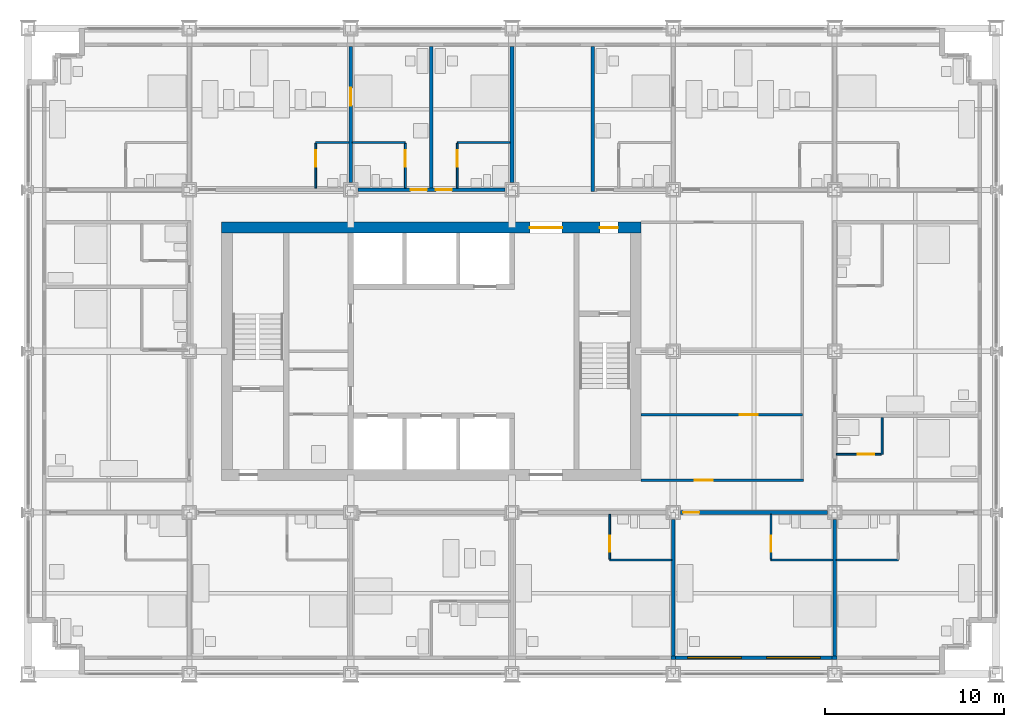
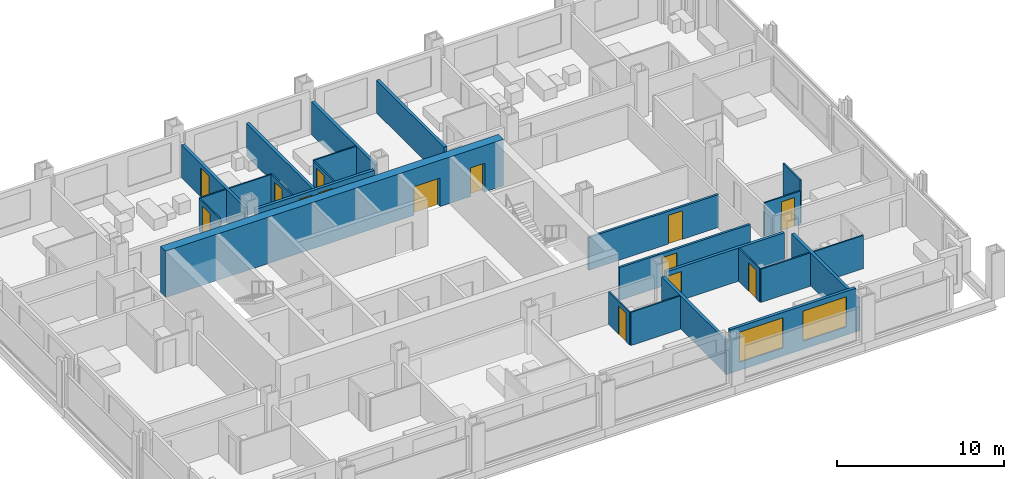
# One storey, part 12 of 18: 27 walls, 14 doors, 2 windows, 16 openings.
"""IFC4 building model written with IfcOpenShell, lengths in metres."""

from ifc_helpers import new_model, si_unit, direction, frame, frame_2d, origin, place, context, subcontext, project, spatial, rectangle, extrude, material, layer, layer_set, type_object, element, fill, save


model = new_model("IFC4")

# Units and contexts
model_context = context("Model", 3, precision=1e-05, world=origin(), true_north=direction((0.0, 1.0)))
body_context = subcontext(model_context, "Body", "Model", "MODEL_VIEW")
ifc_project = project(units=[si_unit("LENGTHUNIT", "METRE"), si_unit("AREAUNIT", "SQUARE_METRE"), si_unit("VOLUMEUNIT", "CUBIC_METRE"), si_unit("PLANEANGLEUNIT", "RADIAN"), si_unit("MASSUNIT", "GRAM", prefix="KILO")], contexts=[model_context])

# Site, building, storey
site_placement = place(None, origin())
site = spatial("IfcSite", under=ifc_project, at=site_placement, CompositionType="ELEMENT")
building_placement = place(site_placement, origin())
building = spatial("IfcBuilding", under=site, at=building_placement, Name="Loomwork Tower", CompositionType="ELEMENT")
storey_placement = place(building_placement, frame((0.0, 0.0, 45.0)))
storey = spatial("IfcBuildingStorey", under=building, at=storey_placement, Name="L10", CompositionType="ELEMENT", Elevation=45.0)

# Wall, openings, doors
ifc_material_1 = material(Name="Concrete 14000 psi (97 MPa)", Category="concrete")
ifc_layer_1 = layer(ifc_material_1, 0.60009765625)
ifc_layer_set_1 = layer_set([ifc_layer_1], Name="Core shear wall 600")
wall_type_1 = type_object("IfcWallType", Name="Core shear wall 600", PredefinedType="SHEAR", material=ifc_layer_set_1)
wall_1_placement = place(storey_placement, frame((10.800048828125, 24.89990234375, 0.0), z_axis=(0.0, 0.0, 1.0), x_axis=(1.0, 0.0, 0.0)))
wall_1 = element("IfcWall", 1, at=wall_1_placement, inside=storey, type_object=wall_type_1, Name="Core wall north L10", PredefinedType="SHEAR", context=body_context, shape_type="SweptSolid", body=[
    extrude(rectangle(XDim=23.39990234375, YDim=0.60009765625, at=frame_2d((11.699951171875, 0.0))), origin(), (0.0, 0.0, 1.0), 3.39990234375),
])
opening_1_placement = place(wall_1_placement, frame((17.199951171875, 0.0, 0.0)))
opening_1 = element("IfcOpeningElement", 2, at=opening_1_placement, cuts=wall_1, Name="Opening D6", PredefinedType="OPENING", context=body_context, shape_type="SweptSolid", body=[
    extrude(rectangle(XDim=1.800048828125, YDim=2.10009765625, at=frame_2d((0.89990234375, 1.050048828125))), frame((0.0, 0.31005859375, 0.0), z_axis=(0.0, -1.0, 0.0), x_axis=(1.0, 0.0, 0.0)), (0.0, 0.0, 1.0), 0.6201171875),
])
opening_2_placement = place(wall_1_placement, frame((21.10009765625, 0.0, 0.0)))
opening_2 = element("IfcOpeningElement", 3, at=opening_2_placement, cuts=wall_1, Name="Opening D4", PredefinedType="OPENING", context=body_context, shape_type="SweptSolid", body=[
    extrude(rectangle(XDim=1.0, YDim=2.10009765625, at=frame_2d((0.5, 1.050048828125))), frame((0.0, 0.31005859375, 0.0), z_axis=(0.0, -1.0, 0.0), x_axis=(1.0, 0.0, 0.0)), (0.0, 0.0, 1.0), 0.6201171875),
])
ifc_material_2 = material(Name="Hollow metal door and frame")
door_type_1 = type_object("IfcDoorType", Name="Lobby passage double door 1800", OperationType="DOUBLE_DOOR_SINGLE_SWING", PredefinedType="DOOR", material=ifc_material_2)
door_1_placement = place(opening_1_placement, frame((1.800048828125, 0.0, 0.0), z_axis=(0.0, 0.0, 1.0), x_axis=(-1.0, 0.0, 0.0)))
door_1 = element("IfcDoor", 4, at=door_1_placement, inside=storey, type_object=door_type_1, Name="Lobby passage door north", OperationType="DOUBLE_DOOR_SINGLE_SWING", OverallHeight=2.10009765625, OverallWidth=1.800048828125, PredefinedType="DOOR", context=body_context, shape_type="SweptSolid", body=[
    extrude(rectangle(XDim=1.800048828125, YDim=2.10009765625, at=frame_2d((0.89990234375, 1.050048828125))), frame((0.0, 0.02490234375, 0.0), z_axis=(0.0, -1.0, 0.0), x_axis=(1.0, 0.0, 0.0)), (0.0, 0.0, 1.0), 0.050048828125),
])
fill(opening_1, door_1)
ifc_material_3 = material(Name="Hollow metal door and frame")
door_type_2 = type_object("IfcDoorType", Name="Stair door 1000", OperationType="SINGLE_SWING_RIGHT", PredefinedType="DOOR", material=ifc_material_3)
door_2_placement = place(opening_2_placement, frame((1.0, 0.0, 0.0), z_axis=(0.0, 0.0, 1.0), x_axis=(-1.0, 0.0, 0.0)))
door_2 = element("IfcDoor", 5, at=door_2_placement, inside=storey, type_object=door_type_2, Name="Stair B vestibule door", OperationType="SINGLE_SWING_LEFT", OverallHeight=2.10009765625, OverallWidth=1.0, PredefinedType="DOOR", context=body_context, shape_type="SweptSolid", body=[
    extrude(rectangle(XDim=1.0, YDim=2.10009765625, at=frame_2d((0.5, 1.050048828125))), frame((0.0, 0.02490234375, 0.0), z_axis=(0.0, -1.0, 0.0), x_axis=(1.0, 0.0, 0.0)), (0.0, 0.0, 1.0), 0.050048828125),
])
fill(opening_2, door_2)

# Wall, opening, door
ifc_material_4 = material(Name="Gypsum board on steel studs, one-hour", Category="steel")
ifc_layer_2 = layer(ifc_material_4, 0.199951171875)
ifc_layer_set_2 = layer_set([ifc_layer_2], Name="Corridor wall 200")
wall_type_2 = type_object("IfcWallType", Name="Corridor wall 200", PredefinedType="PARTITIONING", material=ifc_layer_set_2)
wall_2_placement = place(storey_placement, frame((36.39990234375, 9.0, 0.0), z_axis=(0.0, 0.0, 1.0), x_axis=(1.0, 0.0, 0.0)))
wall_2 = element("IfcWall", 6, at=wall_2_placement, inside=storey, type_object=wall_type_2, Name="South corridor wall 5", PredefinedType="PARTITIONING", context=body_context, shape_type="SweptSolid", body=[
    extrude(rectangle(XDim=8.2001953125, YDim=0.199951171875, at=frame_2d((4.10009765625, 0.0))), origin(), (0.0, 0.0, 1.0), 2.43798828125),
])
opening_3_placement = place(wall_2_placement, frame((0.14990234375, 0.0, 0.0)))
opening_3 = element("IfcOpeningElement", 7, at=opening_3_placement, cuts=wall_2, Name="Opening D1", PredefinedType="OPENING", context=body_context, shape_type="SweptSolid", body=[
    extrude(rectangle(XDim=0.89990234375, YDim=2.10009765625, at=frame_2d((0.449951171875, 1.050048828125))), frame((0.0, 0.10986328125, 0.0), z_axis=(0.0, -1.0, 0.0), x_axis=(1.0, 0.0, 0.0)), (0.0, 0.0, 1.0), 0.219970703125),
])
ifc_material_5 = material(Name="Hollow metal door and frame")
door_type_3 = type_object("IfcDoorType", Name="Guest room entry door 900", OperationType="SINGLE_SWING_LEFT", PredefinedType="DOOR", material=ifc_material_5)
door_3_placement = place(opening_3_placement, frame((0.89990234375, 0.0, 0.0), z_axis=(0.0, 0.0, 1.0), x_axis=(-1.0, 0.0, 0.0)))
door_3 = element("IfcDoor", 8, at=door_3_placement, inside=storey, type_object=door_type_3, Name="Guest room entry door L10 5", OperationType="SINGLE_SWING_RIGHT", OverallHeight=2.10009765625, OverallWidth=0.89990234375, PredefinedType="DOOR", context=body_context, shape_type="SweptSolid", body=[
    extrude(rectangle(XDim=0.89990234375, YDim=2.10009765625, at=frame_2d((0.449951171875, 1.050048828125))), frame((0.0, 0.02490234375, 0.0), z_axis=(0.0, -1.0, 0.0), x_axis=(1.0, 0.0, 0.0)), (0.0, 0.0, 1.0), 0.050048828125),
])
fill(opening_3, door_3)

# Wall, openings, doors
wall_3_placement = place(storey_placement, frame((18.39990234375, 27.0, 0.0), z_axis=(0.0, 0.0, 1.0), x_axis=(1.0, 0.0, 0.0)))
wall_3 = element("IfcWall", 9, at=wall_3_placement, inside=storey, type_object=wall_type_2, Name="North corridor wall 3", PredefinedType="PARTITIONING", context=body_context, shape_type="SweptSolid", body=[
    extrude(rectangle(XDim=8.2001953125, YDim=0.199951171875, at=frame_2d((4.10009765625, 0.0))), origin(), (0.0, 0.0, 1.0), 2.405029296875),
])
opening_4_placement = place(wall_3_placement, frame((2.949951171875, 0.0, 0.0)))
opening_4 = element("IfcOpeningElement", 10, at=opening_4_placement, cuts=wall_3, Name="Opening D1", PredefinedType="OPENING", context=body_context, shape_type="SweptSolid", body=[
    extrude(rectangle(XDim=0.89990234375, YDim=2.10009765625, at=frame_2d((0.449951171875, 1.050048828125))), frame((0.0, 0.10986328125, 0.0), z_axis=(0.0, -1.0, 0.0), x_axis=(1.0, 0.0, 0.0)), (0.0, 0.0, 1.0), 0.219970703125),
])
opening_5_placement = place(wall_3_placement, frame((4.35009765625, 0.0, 0.0)))
opening_5 = element("IfcOpeningElement", 11, at=opening_5_placement, cuts=wall_3, Name="Opening D1", PredefinedType="OPENING", context=body_context, shape_type="SweptSolid", body=[
    extrude(rectangle(XDim=0.89990234375, YDim=2.10009765625, at=frame_2d((0.449951171875, 1.050048828125))), frame((0.0, 0.10986328125, 0.0), z_axis=(0.0, -1.0, 0.0), x_axis=(1.0, 0.0, 0.0)), (0.0, 0.0, 1.0), 0.219970703125),
])
door_4_placement = place(opening_4_placement, origin())
door_4 = element("IfcDoor", 12, at=door_4_placement, inside=storey, type_object=door_type_3, Name="Guest room entry door L10 9", OperationType="SINGLE_SWING_RIGHT", OverallHeight=2.10009765625, OverallWidth=0.89990234375, PredefinedType="DOOR", context=body_context, shape_type="SweptSolid", body=[
    extrude(rectangle(XDim=0.89990234375, YDim=2.10009765625, at=frame_2d((0.449951171875, 1.050048828125))), frame((0.0, 0.02490234375, 0.0), z_axis=(0.0, -1.0, 0.0), x_axis=(1.0, 0.0, 0.0)), (0.0, 0.0, 1.0), 0.050048828125),
])
fill(opening_4, door_4)
door_5_placement = place(opening_5_placement, origin())
door_5 = element("IfcDoor", 13, at=door_5_placement, inside=storey, type_object=door_type_3, Name="Guest room entry door L10 10", OperationType="SINGLE_SWING_LEFT", OverallHeight=2.10009765625, OverallWidth=0.89990234375, PredefinedType="DOOR", context=body_context, shape_type="SweptSolid", body=[
    extrude(rectangle(XDim=0.89990234375, YDim=2.10009765625, at=frame_2d((0.449951171875, 1.050048828125))), frame((0.0, 0.02490234375, 0.0), z_axis=(0.0, -1.0, 0.0), x_axis=(1.0, 0.0, 0.0)), (0.0, 0.0, 1.0), 0.050048828125),
])
fill(opening_5, door_5)

# Wall
ifc_material_6 = material(Name="Cement board on steel studs", Category="steel")
ifc_layer_3 = layer(ifc_material_6, 0.10009765625)
ifc_layer_set_3 = layer_set([ifc_layer_3], Name="En-suite partition 100")
wall_type_3 = type_object("IfcWallType", Name="En-suite partition 100", PredefinedType="PARTITIONING", material=ifc_layer_set_3)
wall_4_placement = place(storey_placement, frame((32.449951171875, 6.35009765625, 0.0), z_axis=(0.0, 0.0, 1.0), x_axis=(1.0, 0.0, 0.0)))
element("IfcWall", 14, at=wall_4_placement, inside=storey, type_object=wall_type_3, Name="En-suite wall L10 room 4", PredefinedType="PARTITIONING", context=body_context, shape_type="SweptSolid", body=[
    extrude(rectangle(XDim=3.449951171875, YDim=0.10009765625, at=frame_2d((1.72509765625, 0.0))), origin(), (0.0, 0.0, 1.0), 2.43798828125),
])

# Wall, opening, door
wall_5_placement = place(storey_placement, frame((32.449951171875, 8.89990234375, 0.0), z_axis=(0.0, 0.0, 1.0), x_axis=(0.0, -1.0, 0.0)))
wall_5 = element("IfcWall", 15, at=wall_5_placement, inside=storey, type_object=wall_type_3, Name="En-suite side wall L10 room 4", PredefinedType="PARTITIONING", context=body_context, shape_type="SweptSolid", body=[
    extrude(rectangle(XDim=2.5, YDim=0.10009765625, at=frame_2d((1.25, 0.0))), origin(), (0.0, 0.0, 1.0), 2.404052734375),
])
opening_6_placement = place(wall_5_placement, frame((1.199951171875, 0.0, 0.0)))
opening_6 = element("IfcOpeningElement", 16, at=opening_6_placement, cuts=wall_5, Name="Opening D2", PredefinedType="OPENING", context=body_context, shape_type="SweptSolid", body=[
    extrude(rectangle(XDim=0.89990234375, YDim=2.10009765625, at=frame_2d((0.449951171875, 1.050048828125))), frame((0.0, 0.06005859375, 0.0), z_axis=(0.0, -1.0, 0.0), x_axis=(1.0, 0.0, 0.0)), (0.0, 0.0, 1.0), 0.1201171875),
])
ifc_material_7 = material(Name="Hollow metal door and frame")
door_type_4 = type_object("IfcDoorType", Name="En-suite door 900", OperationType="SINGLE_SWING_LEFT", PredefinedType="DOOR", material=ifc_material_7)
door_6_placement = place(opening_6_placement, origin())
door_6 = element("IfcDoor", 17, at=door_6_placement, inside=storey, type_object=door_type_4, Name="En-suite door room 4", OperationType="SINGLE_SWING_RIGHT", OverallHeight=2.10009765625, OverallWidth=0.89990234375, PredefinedType="DOOR", context=body_context, shape_type="SweptSolid", body=[
    extrude(rectangle(XDim=0.89990234375, YDim=2.10009765625, at=frame_2d((0.449951171875, 1.050048828125))), frame((0.0, 0.02490234375, 0.0), z_axis=(0.0, -1.0, 0.0), x_axis=(1.0, 0.0, 0.0)), (0.0, 0.0, 1.0), 0.050048828125),
])
fill(opening_6, door_6)

# Wall
wall_6_placement = place(storey_placement, frame((41.449951171875, 6.35009765625, 0.0), z_axis=(0.0, 0.0, 1.0), x_axis=(1.0, 0.0, 0.0)))
element("IfcWall", 18, at=wall_6_placement, inside=storey, type_object=wall_type_3, Name="En-suite wall L10 room 5", PredefinedType="PARTITIONING", context=body_context, shape_type="SweptSolid", body=[
    extrude(rectangle(XDim=3.449951171875, YDim=0.10009765625, at=frame_2d((1.72509765625, 0.0))), origin(), (0.0, 0.0, 1.0), 2.43798828125),
])

# Wall, opening, door
wall_7_placement = place(storey_placement, frame((41.449951171875, 8.89990234375, 0.0), z_axis=(0.0, 0.0, 1.0), x_axis=(0.0, -1.0, 0.0)))
wall_7 = element("IfcWall", 19, at=wall_7_placement, inside=storey, type_object=wall_type_3, Name="En-suite side wall L10 room 5", PredefinedType="PARTITIONING", context=body_context, shape_type="SweptSolid", body=[
    extrude(rectangle(XDim=2.5, YDim=0.10009765625, at=frame_2d((1.25, 0.0))), origin(), (0.0, 0.0, 1.0), 2.43798828125),
])
opening_7_placement = place(wall_7_placement, frame((1.199951171875, 0.0, 0.0)))
opening_7 = element("IfcOpeningElement", 20, at=opening_7_placement, cuts=wall_7, Name="Opening D2", PredefinedType="OPENING", context=body_context, shape_type="SweptSolid", body=[
    extrude(rectangle(XDim=0.89990234375, YDim=2.10009765625, at=frame_2d((0.449951171875, 1.050048828125))), frame((0.0, 0.06005859375, 0.0), z_axis=(0.0, -1.0, 0.0), x_axis=(1.0, 0.0, 0.0)), (0.0, 0.0, 1.0), 0.1201171875),
])
door_7_placement = place(opening_7_placement, origin())
door_7 = element("IfcDoor", 21, at=door_7_placement, inside=storey, type_object=door_type_4, Name="En-suite door room 5", OperationType="SINGLE_SWING_RIGHT", OverallHeight=2.10009765625, OverallWidth=0.89990234375, PredefinedType="DOOR", context=body_context, shape_type="SweptSolid", body=[
    extrude(rectangle(XDim=0.89990234375, YDim=2.10009765625, at=frame_2d((0.449951171875, 1.050048828125))), frame((0.0, 0.02490234375, 0.0), z_axis=(0.0, -1.0, 0.0), x_axis=(1.0, 0.0, 0.0)), (0.0, 0.0, 1.0), 0.050048828125),
])
fill(opening_7, door_7)

# Walls
wall_8_placement = place(storey_placement, frame((45.10009765625, 6.35009765625, 0.0), z_axis=(0.0, 0.0, 1.0), x_axis=(1.0, 0.0, 0.0)))
element("IfcWall", 22, at=wall_8_placement, inside=storey, type_object=wall_type_3, Name="En-suite wall L10 room 6", PredefinedType="PARTITIONING", context=body_context, shape_type="SweptSolid", body=[
    extrude(rectangle(XDim=3.449951171875, YDim=0.10009765625, at=frame_2d((1.72509765625, 0.0))), origin(), (0.0, 0.0, 1.0), 2.43798828125),
])
wall_9_placement = place(storey_placement, frame((16.050048828125, 29.64990234375, 0.0), z_axis=(0.0, 0.0, 1.0), x_axis=(1.0, 0.0, 0.0)))
element("IfcWall", 23, at=wall_9_placement, inside=storey, type_object=wall_type_3, Name="En-suite wall L10 room 8", PredefinedType="PARTITIONING", context=body_context, shape_type="SweptSolid", body=[
    extrude(rectangle(XDim=1.849853515625, YDim=0.10009765625, at=frame_2d((0.9248046875, 0.0))), origin(), (0.0, 0.0, 1.0), 2.404052734375),
])

# Wall, opening, door
wall_10_placement = place(storey_placement, frame((16.050048828125, 27.10009765625, 0.0), z_axis=(0.0, 0.0, 1.0), x_axis=(0.0, 1.0, 0.0)))
wall_10 = element("IfcWall", 24, at=wall_10_placement, inside=storey, type_object=wall_type_3, Name="En-suite side wall L10 room 8", PredefinedType="PARTITIONING", context=body_context, shape_type="SweptSolid", body=[
    extrude(rectangle(XDim=2.5, YDim=0.10009765625, at=frame_2d((1.25, 0.0))), origin(), (0.0, 0.0, 1.0), 2.404052734375),
])
opening_8_placement = place(wall_10_placement, frame((1.199951171875, 0.0, 0.0)))
opening_8 = element("IfcOpeningElement", 25, at=opening_8_placement, cuts=wall_10, Name="Opening D2", PredefinedType="OPENING", context=body_context, shape_type="SweptSolid", body=[
    extrude(rectangle(XDim=0.89990234375, YDim=2.10009765625, at=frame_2d((0.449951171875, 1.050048828125))), frame((0.0, 0.06005859375, 0.0), z_axis=(0.0, -1.0, 0.0), x_axis=(1.0, 0.0, 0.0)), (0.0, 0.0, 1.0), 0.1201171875),
])
door_8_placement = place(opening_8_placement, frame((0.89990234375, 0.0, 0.0), z_axis=(0.0, 0.0, 1.0), x_axis=(-1.0, 0.0, 0.0)))
door_8 = element("IfcDoor", 26, at=door_8_placement, inside=storey, type_object=door_type_4, Name="Suite powder room door room 8", OperationType="SINGLE_SWING_LEFT", OverallHeight=2.10009765625, OverallWidth=0.89990234375, PredefinedType="DOOR", context=body_context, shape_type="SweptSolid", body=[
    extrude(rectangle(XDim=0.89990234375, YDim=2.10009765625, at=frame_2d((0.449951171875, 1.050048828125))), frame((0.0, 0.02490234375, 0.0), z_axis=(0.0, -1.0, 0.0), x_axis=(1.0, 0.0, 0.0)), (0.0, 0.0, 1.0), 0.050048828125),
])
fill(opening_8, door_8)

# Wall
wall_11_placement = place(storey_placement, frame((18.10009765625, 29.64990234375, 0.0), z_axis=(0.0, 0.0, 1.0), x_axis=(1.0, 0.0, 0.0)))
element("IfcWall", 27, at=wall_11_placement, inside=storey, type_object=wall_type_3, Name="En-suite wall L10 room 9", PredefinedType="PARTITIONING", context=body_context, shape_type="SweptSolid", body=[
    extrude(rectangle(XDim=2.949951171875, YDim=0.10009765625, at=frame_2d((1.47509765625, 0.0))), origin(), (0.0, 0.0, 1.0), 2.404052734375),
])

# Wall, opening, door
wall_12_placement = place(storey_placement, frame((21.050048828125, 27.10009765625, 0.0), z_axis=(0.0, 0.0, 1.0), x_axis=(0.0, 1.0, 0.0)))
wall_12 = element("IfcWall", 28, at=wall_12_placement, inside=storey, type_object=wall_type_3, Name="En-suite side wall L10 room 9", PredefinedType="PARTITIONING", context=body_context, shape_type="SweptSolid", body=[
    extrude(rectangle(XDim=2.5, YDim=0.10009765625, at=frame_2d((1.25, 0.0))), origin(), (0.0, 0.0, 1.0), 2.404052734375),
])
opening_9_placement = place(wall_12_placement, frame((1.199951171875, 0.0, 0.0)))
opening_9 = element("IfcOpeningElement", 29, at=opening_9_placement, cuts=wall_12, Name="Opening D2", PredefinedType="OPENING", context=body_context, shape_type="SweptSolid", body=[
    extrude(rectangle(XDim=0.89990234375, YDim=2.10009765625, at=frame_2d((0.449951171875, 1.050048828125))), frame((0.0, 0.06005859375, 0.0), z_axis=(0.0, -1.0, 0.0), x_axis=(1.0, 0.0, 0.0)), (0.0, 0.0, 1.0), 0.1201171875),
])
door_9_placement = place(opening_9_placement, origin())
door_9 = element("IfcDoor", 30, at=door_9_placement, inside=storey, type_object=door_type_4, Name="En-suite door room 9", OperationType="SINGLE_SWING_RIGHT", OverallHeight=2.10009765625, OverallWidth=0.89990234375, PredefinedType="DOOR", context=body_context, shape_type="SweptSolid", body=[
    extrude(rectangle(XDim=0.89990234375, YDim=2.10009765625, at=frame_2d((0.449951171875, 1.050048828125))), frame((0.0, 0.02490234375, 0.0), z_axis=(0.0, -1.0, 0.0), x_axis=(1.0, 0.0, 0.0)), (0.0, 0.0, 1.0), 0.050048828125),
])
fill(opening_9, door_9)

# Wall
wall_13_placement = place(storey_placement, frame((23.949951171875, 29.64990234375, 0.0), z_axis=(0.0, 0.0, 1.0), x_axis=(1.0, 0.0, 0.0)))
element("IfcWall", 31, at=wall_13_placement, inside=storey, type_object=wall_type_3, Name="En-suite wall L10 room 10", PredefinedType="PARTITIONING", context=body_context, shape_type="SweptSolid", body=[
    extrude(rectangle(XDim=2.949951171875, YDim=0.10009765625, at=frame_2d((1.47509765625, 0.0))), origin(), (0.0, 0.0, 1.0), 2.404052734375),
])

# Wall, opening, door
wall_14_placement = place(storey_placement, frame((23.949951171875, 27.10009765625, 0.0), z_axis=(0.0, 0.0, 1.0), x_axis=(0.0, 1.0, 0.0)))
wall_14 = element("IfcWall", 32, at=wall_14_placement, inside=storey, type_object=wall_type_3, Name="En-suite side wall L10 room 10", PredefinedType="PARTITIONING", context=body_context, shape_type="SweptSolid", body=[
    extrude(rectangle(XDim=2.5, YDim=0.10009765625, at=frame_2d((1.25, 0.0))), origin(), (0.0, 0.0, 1.0), 2.404052734375),
])
opening_10_placement = place(wall_14_placement, frame((1.199951171875, 0.0, 0.0)))
opening_10 = element("IfcOpeningElement", 33, at=opening_10_placement, cuts=wall_14, Name="Opening D2", PredefinedType="OPENING", context=body_context, shape_type="SweptSolid", body=[
    extrude(rectangle(XDim=0.89990234375, YDim=2.10009765625, at=frame_2d((0.449951171875, 1.050048828125))), frame((0.0, 0.06005859375, 0.0), z_axis=(0.0, -1.0, 0.0), x_axis=(1.0, 0.0, 0.0)), (0.0, 0.0, 1.0), 0.1201171875),
])
door_10_placement = place(opening_10_placement, frame((0.89990234375, 0.0, 0.0), z_axis=(0.0, 0.0, 1.0), x_axis=(-1.0, 0.0, 0.0)))
door_10 = element("IfcDoor", 34, at=door_10_placement, inside=storey, type_object=door_type_4, Name="En-suite door room 10", OperationType="SINGLE_SWING_LEFT", OverallHeight=2.10009765625, OverallWidth=0.89990234375, PredefinedType="DOOR", context=body_context, shape_type="SweptSolid", body=[
    extrude(rectangle(XDim=0.89990234375, YDim=2.10009765625, at=frame_2d((0.449951171875, 1.050048828125))), frame((0.0, 0.02490234375, 0.0), z_axis=(0.0, -1.0, 0.0), x_axis=(1.0, 0.0, 0.0)), (0.0, 0.0, 1.0), 0.050048828125),
])
fill(opening_10, door_10)

# Wall
wall_15_placement = place(storey_placement, frame((47.64990234375, 12.25, 0.0), z_axis=(0.0, 0.0, 1.0), x_axis=(0.0, 1.0, 0.0)))
element("IfcWall", 35, at=wall_15_placement, inside=storey, type_object=wall_type_3, Name="En-suite wall L10 room 16", PredefinedType="PARTITIONING", context=body_context, shape_type="SweptSolid", body=[
    extrude(rectangle(XDim=2.050048828125, YDim=0.10009765625, at=frame_2d((1.02490234375, 0.0))), origin(), (0.0, 0.0, 1.0), 3.199951171875),
])

# Wall, opening, door
wall_16_placement = place(storey_placement, frame((45.10009765625, 12.25, 0.0), z_axis=(0.0, 0.0, 1.0), x_axis=(1.0, 0.0, 0.0)))
wall_16 = element("IfcWall", 36, at=wall_16_placement, inside=storey, type_object=wall_type_3, Name="En-suite side wall L10 room 16", PredefinedType="PARTITIONING", context=body_context, shape_type="SweptSolid", body=[
    extrude(rectangle(XDim=2.5, YDim=0.10009765625, at=frame_2d((1.25, 0.0))), origin(), (0.0, 0.0, 1.0), 2.43798828125),
])
opening_11_placement = place(wall_16_placement, frame((1.199951171875, 0.0, 0.0)))
opening_11 = element("IfcOpeningElement", 37, at=opening_11_placement, cuts=wall_16, Name="Opening D3", PredefinedType="OPENING", context=body_context, shape_type="SweptSolid", body=[
    extrude(rectangle(XDim=0.89990234375, YDim=2.10009765625, at=frame_2d((0.449951171875, 1.050048828125))), frame((0.0, 0.06005859375, 0.0), z_axis=(0.0, -1.0, 0.0), x_axis=(1.0, 0.0, 0.0)), (0.0, 0.0, 1.0), 0.1201171875),
])
ifc_material_8 = material(Name="Hollow metal door and frame")
door_type_5 = type_object("IfcDoorType", Name="Accessible en-suite door 900", OperationType="SLIDING_TO_LEFT", PredefinedType="DOOR", material=ifc_material_8)
door_11_placement = place(opening_11_placement, origin())
door_11 = element("IfcDoor", 38, at=door_11_placement, inside=storey, type_object=door_type_5, Name="Accessible en-suite door room 16", OperationType="SLIDING_TO_LEFT", OverallHeight=2.10009765625, OverallWidth=0.89990234375, PredefinedType="DOOR", context=body_context, shape_type="SweptSolid", body=[
    extrude(rectangle(XDim=0.89990234375, YDim=2.10009765625, at=frame_2d((0.449951171875, 1.050048828125))), frame((0.0, 0.02490234375, 0.0), z_axis=(0.0, -1.0, 0.0), x_axis=(1.0, 0.0, 0.0)), (0.0, 0.0, 1.0), 0.050048828125),
])
fill(opening_11, door_11)

# Walls
ifc_material_9 = material(Name="Gypsum board on steel studs, acoustic", Category="steel")
ifc_layer_4 = layer(ifc_material_9, 0.199951171875)
ifc_layer_set_4 = layer_set([ifc_layer_4], Name="Guest room party wall 200")
wall_type_4 = type_object("IfcWallType", Name="Guest room party wall 200", PredefinedType="PARTITIONING", material=ifc_layer_set_4)
for number, where, z_axis, x_axis, name in (
    (39, (36.0, 8.60009765625, 0.0), (0.0, 0.0, 1.0), (0.0, -1.0, 0.0), "Guest room party wall S 36"),
    (40, (45.0, 8.60009765625, 0.0), (0.0, 0.0, 1.0), (0.0, -1.0, 0.0), "Guest room party wall S 45"),
):
    element("IfcWall", number, at=place(storey_placement, frame(where, z_axis=z_axis, x_axis=x_axis)), inside=storey, type_object=wall_type_4, Name=name, PredefinedType="PARTITIONING", context=body_context, shape_type="SweptSolid", body=[
        extrude(rectangle(XDim=7.60009765625, YDim=0.199951171875, at=frame_2d((3.800048828125, 0.0))), origin(), (0.0, 0.0, 1.0), 2.43798828125),
    ])

# Wall, opening, door
wall_17_placement = place(storey_placement, frame((18.0, 27.39990234375, 0.0), z_axis=(0.0, 0.0, 1.0), x_axis=(0.0, 1.0, 0.0)))
wall_17 = element("IfcWall", 41, at=wall_17_placement, inside=storey, type_object=wall_type_4, Name="Guest room party wall N 18", PredefinedType="PARTITIONING", context=body_context, shape_type="SweptSolid", body=[
    extrude(rectangle(XDim=7.60009765625, YDim=0.199951171875, at=frame_2d((3.800048828125, 0.0))), origin(), (0.0, 0.0, 1.0), 2.405029296875),
])
opening_12_placement = place(wall_17_placement, frame((4.300048828125, 0.0, 0.0)))
opening_12 = element("IfcOpeningElement", 42, at=opening_12_placement, cuts=wall_17, Name="Opening D7", PredefinedType="OPENING", context=body_context, shape_type="SweptSolid", body=[
    extrude(rectangle(XDim=1.0, YDim=2.10009765625, at=frame_2d((0.5, 1.050048828125))), frame((0.0, 0.10986328125, 0.0), z_axis=(0.0, -1.0, 0.0), x_axis=(1.0, 0.0, 0.0)), (0.0, 0.0, 1.0), 0.219970703125),
])
ifc_material_10 = material(Name="Hollow metal door and frame")
door_type_6 = type_object("IfcDoorType", Name="Room door 1000", OperationType="SINGLE_SWING_LEFT", PredefinedType="DOOR", material=ifc_material_10)
door_12_placement = place(opening_12_placement, frame((1.0, 0.0, 0.0), z_axis=(0.0, 0.0, 1.0), x_axis=(-1.0, 0.0, 0.0)))
door_12 = element("IfcDoor", 43, at=door_12_placement, inside=storey, type_object=door_type_6, Name="Suite connecting door L10 N 18", OperationType="SINGLE_SWING_RIGHT", OverallHeight=2.10009765625, OverallWidth=1.0, PredefinedType="DOOR", context=body_context, shape_type="SweptSolid", body=[
    extrude(rectangle(XDim=1.0, YDim=2.10009765625, at=frame_2d((0.5, 1.050048828125))), frame((0.0, 0.02490234375, 0.0), z_axis=(0.0, -1.0, 0.0), x_axis=(1.0, 0.0, 0.0)), (0.0, 0.0, 1.0), 0.050048828125),
])
fill(opening_12, door_12)

# Walls
wall_18_placement = place(storey_placement, frame((22.5, 27.10009765625, 0.0), z_axis=(0.0, 0.0, 1.0), x_axis=(0.0, 1.0, 0.0)))
element("IfcWall", 44, at=wall_18_placement, inside=storey, type_object=wall_type_4, Name="Guest room party wall N 22.5", PredefinedType="PARTITIONING", context=body_context, shape_type="SweptSolid", body=[
    extrude(rectangle(XDim=7.89990234375, YDim=0.199951171875, at=frame_2d((3.949951171875, 0.0))), origin(), (0.0, 0.0, 1.0), 2.404052734375),
])
wall_19_placement = place(storey_placement, frame((27.0, 27.39990234375, 0.0), z_axis=(0.0, 0.0, 1.0), x_axis=(0.0, 1.0, 0.0)))
element("IfcWall", 45, at=wall_19_placement, inside=storey, type_object=wall_type_4, Name="Guest room party wall N 27", PredefinedType="PARTITIONING", context=body_context, shape_type="SweptSolid", body=[
    extrude(rectangle(XDim=7.60009765625, YDim=0.199951171875, at=frame_2d((3.800048828125, 0.0))), origin(), (0.0, 0.0, 1.0), 2.405029296875),
])
wall_20_placement = place(storey_placement, frame((31.5, 26.89990234375, 0.0), z_axis=(0.0, 0.0, 1.0), x_axis=(0.0, 1.0, 0.0)))
element("IfcWall", 46, at=wall_20_placement, inside=storey, type_object=wall_type_4, Name="Guest room party wall N 31.5", PredefinedType="PARTITIONING", context=body_context, shape_type="SweptSolid", body=[
    extrude(rectangle(XDim=8.10009765625, YDim=0.199951171875, at=frame_2d((4.050048828125, 0.0))), origin(), (0.0, 0.0, 1.0), 2.404052734375),
])
ifc_material_11 = material(Name="Insulated steel stud wall with gypsum lining", Category="steel")
ifc_layer_5 = layer(ifc_material_11, 0.199951171875)
ifc_layer_set_5 = layer_set([ifc_layer_5], Name="Inner skin wall 200")
wall_type_5 = type_object("IfcWallType", Name="Inner skin wall 200", PredefinedType="SOLIDWALL", material=ifc_layer_set_5)
wall_21_placement = place(storey_placement, frame((35.864501953125, 0.89990234375, 0.0), z_axis=(0.0, 0.0, 1.0), x_axis=(1.0, 0.0, 0.0)))
element("IfcWall", 47, at=wall_21_placement, inside=storey, type_object=wall_type_5, Name="Inner skin wall S bay 8", PredefinedType="SOLIDWALL", context=body_context, shape_type="SweptSolid", body=[
    extrude(rectangle(XDim=0.27099609375, YDim=0.199951171875, at=frame_2d((0.135498046875, 0.0))), origin(), (0.0, 0.0, 1.0), 2.43798828125),
])

# Wall, openings, windows
wall_22_placement = place(storey_placement, frame((36.135498046875, 0.89990234375, 0.0), z_axis=(0.0, 0.0, 1.0), x_axis=(1.0, 0.0, 0.0)))
wall_22 = element("IfcWall", 48, at=wall_22_placement, inside=storey, type_object=wall_type_5, Name="Inner skin wall S bay 9", PredefinedType="SOLIDWALL", context=body_context, shape_type="SweptSolid", body=[
    extrude(rectangle(XDim=8.72900390625, YDim=0.199951171875, at=frame_2d((4.364501953125, 0.0))), origin(), (0.0, 0.0, 1.0), 3.199951171875),
])
opening_13_placement = place(wall_22_placement, frame((0.66455078125, 0.0, 0.60009765625)))
opening_13 = element("IfcOpeningElement", 49, at=opening_13_placement, cuts=wall_22, Name="Opening CH1", PredefinedType="OPENING", context=body_context, shape_type="SweptSolid", body=[
    extrude(rectangle(XDim=3.0, YDim=2.199951171875, at=frame_2d((1.5, 1.10009765625))), frame((0.0, 0.10986328125, 0.0), z_axis=(0.0, -1.0, 0.0), x_axis=(1.0, 0.0, 0.0)), (0.0, 0.0, 1.0), 0.219970703125),
])
opening_14_placement = place(wall_22_placement, frame((5.064697265625, 0.0, 0.60009765625)))
opening_14 = element("IfcOpeningElement", 50, at=opening_14_placement, cuts=wall_22, Name="Opening CH1", PredefinedType="OPENING", context=body_context, shape_type="SweptSolid", body=[
    extrude(rectangle(XDim=3.0, YDim=2.199951171875, at=frame_2d((1.5, 1.10009765625))), frame((0.0, 0.10986328125, 0.0), z_axis=(0.0, -1.0, 0.0), x_axis=(1.0, 0.0, 0.0)), (0.0, 0.0, 1.0), 0.219970703125),
])
ifc_material_12 = material(Name="Aluminium frame with clear insulated glass", Category="aluminium")
window_type = type_object("IfcWindowType", Name="Chicago window 3000", PartitioningType="TRIPLE_PANEL_VERTICAL", PredefinedType="WINDOW", material=ifc_material_12)
window_1_placement = place(opening_13_placement, origin())
window_1 = element("IfcWindow", 51, at=window_1_placement, inside=storey, type_object=window_type, Name="Chicago window L10 bay 5", OverallHeight=2.199951171875, OverallWidth=3.0, PartitioningType="TRIPLE_PANEL_VERTICAL", PredefinedType="WINDOW", context=body_context, shape_type="SweptSolid", body=[
    extrude(rectangle(XDim=3.0, YDim=2.199951171875, at=frame_2d((1.5, 1.10009765625))), frame((0.0, 0.030029296875, 0.0), z_axis=(0.0, -1.0, 0.0), x_axis=(1.0, 0.0, 0.0)), (0.0, 0.0, 1.0), 0.06005859375),
])
fill(opening_13, window_1)
window_2_placement = place(opening_14_placement, origin())
window_2 = element("IfcWindow", 52, at=window_2_placement, inside=storey, type_object=window_type, Name="Chicago window L10 bay 5", OverallHeight=2.199951171875, OverallWidth=3.0, PartitioningType="TRIPLE_PANEL_VERTICAL", PredefinedType="WINDOW", context=body_context, shape_type="SweptSolid", body=[
    extrude(rectangle(XDim=3.0, YDim=2.199951171875, at=frame_2d((1.5, 1.10009765625))), frame((0.0, 0.030029296875, 0.0), z_axis=(0.0, -1.0, 0.0), x_axis=(1.0, 0.0, 0.0)), (0.0, 0.0, 1.0), 0.06005859375),
])
fill(opening_14, window_2)

# Wall
wall_23_placement = place(storey_placement, frame((44.864501953125, 0.89990234375, 0.0), z_axis=(0.0, 0.0, 1.0), x_axis=(1.0, 0.0, 0.0)))
element("IfcWall", 53, at=wall_23_placement, inside=storey, type_object=wall_type_5, Name="Inner skin wall S bay 10", PredefinedType="SOLIDWALL", context=body_context, shape_type="SweptSolid", body=[
    extrude(rectangle(XDim=0.27099609375, YDim=0.199951171875, at=frame_2d((0.135498046875, 0.0))), origin(), (0.0, 0.0, 1.0), 2.43798828125),
])

# Wall, opening, door
ifc_material_13 = material(Name="Gypsum board on steel studs, one-hour", Category="steel")
ifc_layer_6 = layer(ifc_material_13, 0.14990234375)
ifc_layer_set_6 = layer_set([ifc_layer_6], Name="Service partition 150")
wall_type_6 = type_object("IfcWallType", Name="Service partition 150", PredefinedType="PARTITIONING", material=ifc_layer_set_6)
wall_24_placement = place(storey_placement, frame((34.199951171875, 10.800048828125, 0.0), z_axis=(0.0, 0.0, 1.0), x_axis=(1.0, 0.0, 0.0)))
wall_24 = element("IfcWall", 54, at=wall_24_placement, inside=storey, type_object=wall_type_6, Name="Service block wall S", PredefinedType="PARTITIONING", context=body_context, shape_type="SweptSolid", body=[
    extrude(rectangle(XDim=9.074951171875, YDim=0.14990234375, at=frame_2d((4.53759765625, 0.0))), origin(), (0.0, 0.0, 1.0), 2.404052734375),
])
opening_15_placement = place(wall_24_placement, frame((3.0, 0.0, 0.0)))
opening_15 = element("IfcOpeningElement", 55, at=opening_15_placement, cuts=wall_24, Name="Opening D5", PredefinedType="OPENING", context=body_context, shape_type="SweptSolid", body=[
    extrude(rectangle(XDim=1.0, YDim=2.10009765625, at=frame_2d((0.5, 1.050048828125))), frame((0.0, 0.0849609375, 0.0), z_axis=(0.0, -1.0, 0.0), x_axis=(1.0, 0.0, 0.0)), (0.0, 0.0, 1.0), 0.169921875),
])
ifc_material_14 = material(Name="Hollow metal door and frame")
door_type_7 = type_object("IfcDoorType", Name="Service door 1000", OperationType="SINGLE_SWING_LEFT", PredefinedType="DOOR", material=ifc_material_14)
door_13_placement = place(opening_15_placement, origin())
door_13 = element("IfcDoor", 56, at=door_13_placement, inside=storey, type_object=door_type_7, Name="Housekeeping store door", OperationType="SINGLE_SWING_LEFT", OverallHeight=2.10009765625, OverallWidth=1.0, PredefinedType="DOOR", context=body_context, shape_type="SweptSolid", body=[
    extrude(rectangle(XDim=1.0, YDim=2.10009765625, at=frame_2d((0.5, 1.050048828125))), frame((0.0, 0.02490234375, 0.0), z_axis=(0.0, -1.0, 0.0), x_axis=(1.0, 0.0, 0.0)), (0.0, 0.0, 1.0), 0.050048828125),
])
fill(opening_15, door_13)

wall_25_placement = place(storey_placement, frame((34.199951171875, 14.449951171875, 0.0), z_axis=(0.0, 0.0, 1.0), x_axis=(1.0, 0.0, 0.0)))
wall_25 = element("IfcWall", 57, at=wall_25_placement, inside=storey, type_object=wall_type_6, Name="Housekeeping partition L10", PredefinedType="PARTITIONING", context=body_context, shape_type="SweptSolid", body=[
    extrude(rectangle(XDim=9.0, YDim=0.14990234375, at=frame_2d((4.5, 0.0))), origin(), (0.0, 0.0, 1.0), 2.404052734375),
])
opening_16_placement = place(wall_25_placement, frame((5.5, 0.0, 0.0)))
opening_16 = element("IfcOpeningElement", 58, at=opening_16_placement, cuts=wall_25, Name="Opening D5", PredefinedType="OPENING", context=body_context, shape_type="SweptSolid", body=[
    extrude(rectangle(XDim=1.0, YDim=2.10009765625, at=frame_2d((0.5, 1.050048828125))), frame((0.0, 0.0849609375, 0.0), z_axis=(0.0, -1.0, 0.0), x_axis=(1.0, 0.0, 0.0)), (0.0, 0.0, 1.0), 0.169921875),
])
door_14_placement = place(opening_16_placement, origin())
door_14 = element("IfcDoor", 59, at=door_14_placement, inside=storey, type_object=door_type_7, Name="Guest laundry door", OperationType="SINGLE_SWING_RIGHT", OverallHeight=2.10009765625, OverallWidth=1.0, PredefinedType="DOOR", context=body_context, shape_type="SweptSolid", body=[
    extrude(rectangle(XDim=1.0, YDim=2.10009765625, at=frame_2d((0.5, 1.050048828125))), frame((0.0, 0.02490234375, 0.0), z_axis=(0.0, -1.0, 0.0), x_axis=(1.0, 0.0, 0.0)), (0.0, 0.0, 1.0), 0.050048828125),
])
fill(opening_16, door_14)

save(model, "model.ifc")
